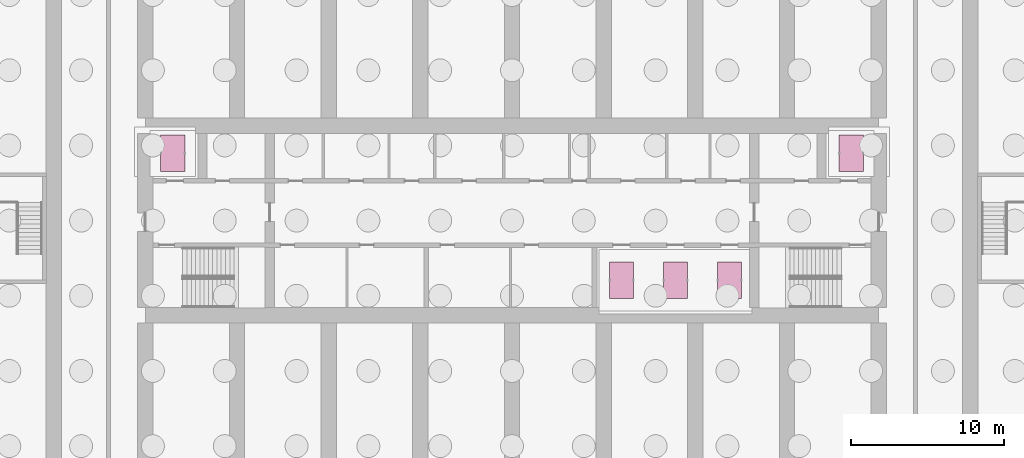
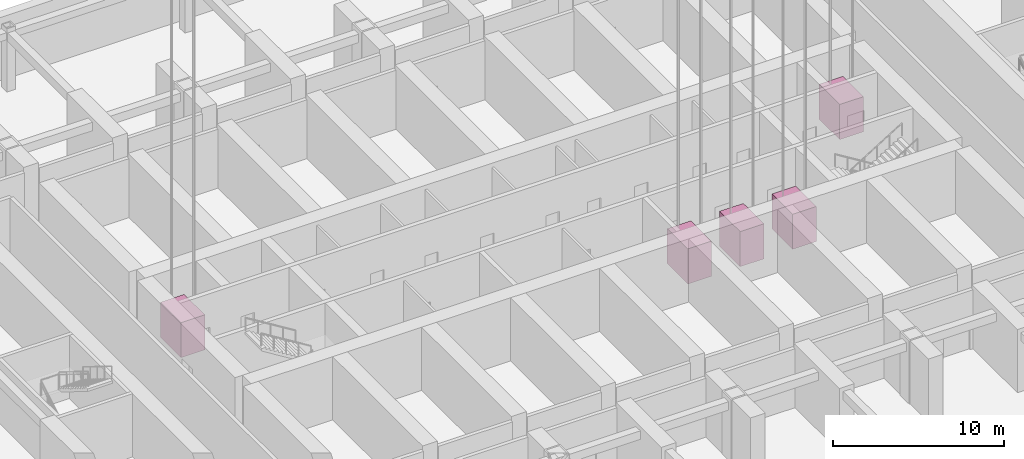
# One storey, part 18 of 28: 5 transport elements.
"""IFC4 building model written with IfcOpenShell, lengths in metres."""

from ifc_helpers import new_model, si_unit, direction, frame, origin, origin_2d, place, context, subcontext, project, spatial, rectangle, extrude, material, type_object, element, save


model = new_model("IFC4")

# Units and contexts
model_context = context("Model", 3, precision=1e-05, world=origin(), true_north=direction((0.0, 1.0)))
body_context = subcontext(model_context, "Body", "Model", "MODEL_VIEW")
ifc_project = project(units=[si_unit("LENGTHUNIT", "METRE"), si_unit("AREAUNIT", "SQUARE_METRE"), si_unit("VOLUMEUNIT", "CUBIC_METRE"), si_unit("PLANEANGLEUNIT", "RADIAN"), si_unit("MASSUNIT", "GRAM", prefix="KILO")], contexts=[model_context])

# Site, building, storey
site_placement = place(None, origin())
site = spatial("IfcSite", under=ifc_project, at=site_placement, CompositionType="ELEMENT")
building_placement = place(site_placement, origin())
building = spatial("IfcBuilding", under=site, at=building_placement, Name="Orbita Commons", CompositionType="ELEMENT")
storey_placement = place(building_placement, frame((0.0, 0.0, -9.0)))
storey = spatial("IfcBuildingStorey", under=building, at=storey_placement, Name="L-02", CompositionType="ELEMENT", Elevation=-9.0)

# Transport elements
ifc_material_1 = material(Name="Stainless steel lift car", Category="steel")
transport_element_type_1 = type_object("IfcTransportElementType", Name="Firefighting lift 1600 kg", PredefinedType="ELEVATOR", material=ifc_material_1)
transport_element_1_placement = place(storey_placement, frame((19.800048828125, 36.39990234375, 0.0), z_axis=(0.0, 0.0, 1.0), x_axis=(1.0, 0.0, 0.0)))
element("IfcTransportElement", 1, at=transport_element_1_placement, inside=storey, type_object=transport_element_type_1, Name="FL1 car", PredefinedType="ELEVATOR", context=body_context, shape_type="SweptSolid", body=[
    extrude(rectangle(XDim=1.60009765625, YDim=2.39990234375, at=origin_2d()), origin(), (0.0, 0.0, 1.0), 2.5),
])
transport_element_2_placement = place(storey_placement, frame((64.199951171875, 36.39990234375, 0.0), z_axis=(0.0, 0.0, 1.0), x_axis=(1.0, 0.0, 0.0)))
element("IfcTransportElement", 2, at=transport_element_2_placement, inside=storey, type_object=transport_element_type_1, Name="FL2 car", PredefinedType="ELEVATOR", context=body_context, shape_type="SweptSolid", body=[
    extrude(rectangle(XDim=1.60009765625, YDim=2.39990234375, at=origin_2d()), origin(), (0.0, 0.0, 1.0), 2.5),
])
ifc_material_2 = material(Name="Stainless steel lift car", Category="steel")
transport_element_type_2 = type_object("IfcTransportElementType", Name="Service and stretcher lift 2000 kg", PredefinedType="ELEVATOR", material=ifc_material_2)
transport_element_3_placement = place(storey_placement, frame((49.166748046875, 28.10009765625, 0.0), z_axis=(0.0, 0.0, 1.0), x_axis=(1.0, 0.0, 0.0)))
element("IfcTransportElement", 3, at=transport_element_3_placement, inside=storey, type_object=transport_element_type_2, Name="SV1 car", PredefinedType="ELEVATOR", context=body_context, shape_type="SweptSolid", body=[
    extrude(rectangle(XDim=1.60009765625, YDim=2.39990234375, at=origin_2d()), origin(), (0.0, 0.0, 1.0), 2.5),
])
transport_element_4_placement = place(storey_placement, frame((52.699951171875, 28.10009765625, 0.0), z_axis=(0.0, 0.0, 1.0), x_axis=(1.0, 0.0, 0.0)))
element("IfcTransportElement", 4, at=transport_element_4_placement, inside=storey, type_object=transport_element_type_2, Name="SV2 car", PredefinedType="ELEVATOR", context=body_context, shape_type="SweptSolid", body=[
    extrude(rectangle(XDim=1.60009765625, YDim=2.39990234375, at=origin_2d()), origin(), (0.0, 0.0, 1.0), 2.5),
])
transport_element_5_placement = place(storey_placement, frame((56.2333984375, 28.10009765625, 0.0), z_axis=(0.0, 0.0, 1.0), x_axis=(1.0, 0.0, 0.0)))
element("IfcTransportElement", 5, at=transport_element_5_placement, inside=storey, type_object=transport_element_type_2, Name="SV3 car", PredefinedType="ELEVATOR", context=body_context, shape_type="SweptSolid", body=[
    extrude(rectangle(XDim=1.60009765625, YDim=2.39990234375, at=origin_2d()), origin(), (0.0, 0.0, 1.0), 2.5),
])

save(model, "model.ifc")
